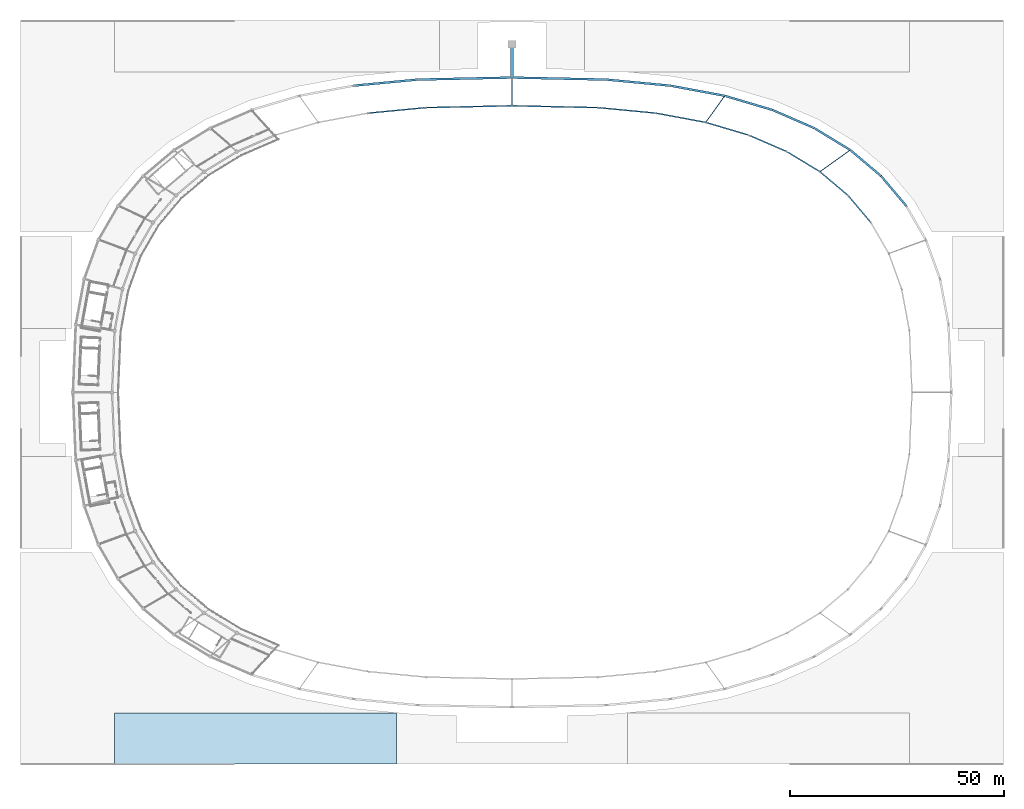
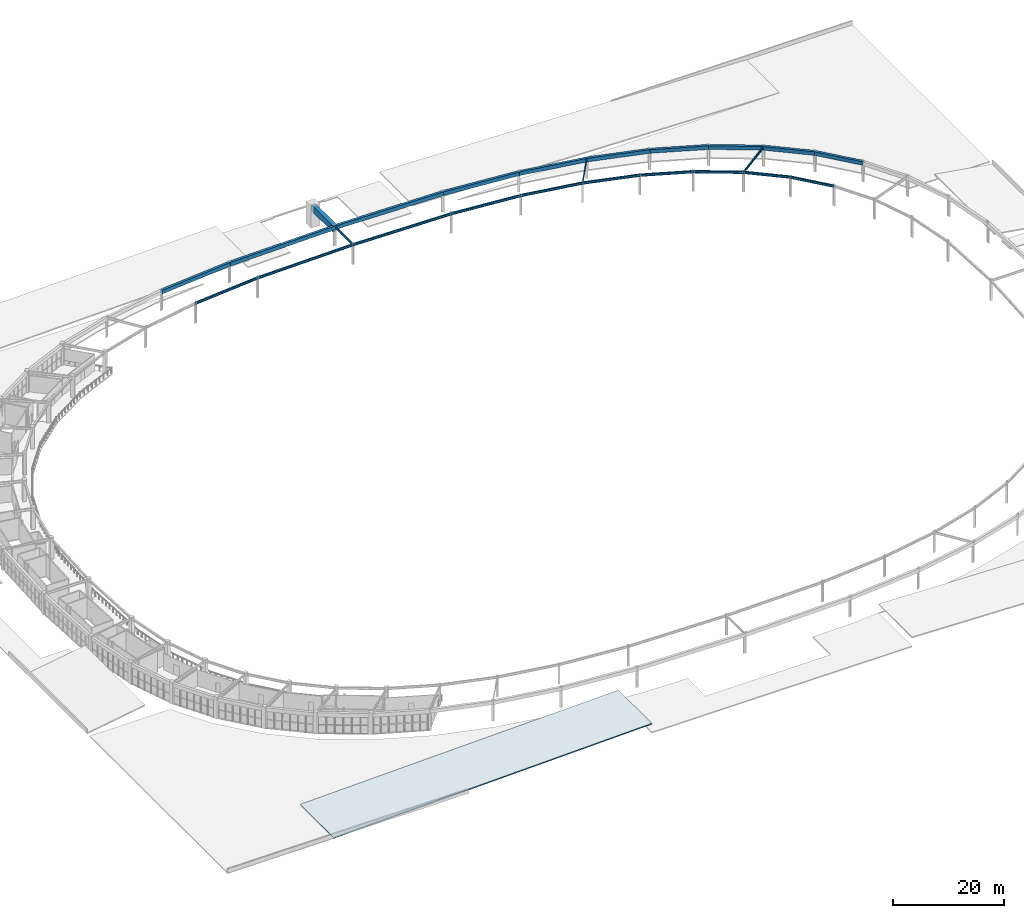
# One storey, part 27 of 45: 24 beams, 1 slab, 1 element without a shape of its own.
"""IFC4 building model written with IfcOpenShell, lengths in metres."""

from ifc_helpers import new_model, si_unit, direction, frame, origin, origin_2d, place, context, subcontext, project, spatial, polyline, rectangle, i_section, outline, extrude, material, layer, layer_set, material_profile, profile_set, type_object, element, aggregate, save


model = new_model("IFC4")

# Units and contexts
model_context = context("Model", 3, precision=1e-05, world=origin(), true_north=direction((0.0, 1.0)))
body_context = subcontext(model_context, "Body", "Model", "MODEL_VIEW")
ifc_project = project(units=[si_unit("LENGTHUNIT", "METRE"), si_unit("AREAUNIT", "SQUARE_METRE"), si_unit("VOLUMEUNIT", "CUBIC_METRE"), si_unit("PLANEANGLEUNIT", "RADIAN"), si_unit("MASSUNIT", "GRAM", prefix="KILO")], contexts=[model_context])

# Site, building, storey
site_placement = place(None, origin())
site = spatial("IfcSite", under=ifc_project, at=site_placement, CompositionType="ELEMENT")
building_placement = place(site_placement, origin())
building = spatial("IfcBuilding", under=site, at=building_placement, Name="Mphavela Belvedere Stadium", CompositionType="ELEMENT")
storey_placement = place(building_placement, frame((0.0, 0.0, 24.0)))
storey = spatial("IfcBuildingStorey", under=building, at=storey_placement, Name="L05", CompositionType="ELEMENT", Elevation=24.0)

# Beams
ifc_material_1 = material(Name="Concrete C50/60", Category="concrete")
ifc_material_profile_1 = material_profile(ifc_material_1, rectangle(XDim=0.800048828125, YDim=1.39990234375, at=origin_2d()), Name="RC 800x1400")
ifc_profile_set_1 = profile_set([ifc_material_profile_1], Name="Concrete C50/60")
beam_type_1 = type_object("IfcBeamType", Name="BM-BUTTRESS-TIE-1400", PredefinedType="BEAM", material=ifc_profile_set_1)
beam_1_placement = place(storey_placement, frame((115.0, 160.669921875, 3.85009765625), z_axis=(0.0, 1.0, 0.0), x_axis=(-1.0, 0.0, 0.0)))
element("IfcBeam", 1, at=beam_1_placement, inside=storey, type_object=beam_type_1, Name="Mast buttress tie girder L05", PredefinedType="BEAM", context=body_context, shape_type="SweptSolid", body=[
    extrude(rectangle(XDim=0.800048828125, YDim=1.39990234375, at=origin_2d()), origin(), (0.0, 0.0, 1.0), 7.830078125),
])
ifc_material_2 = material(Name="Concrete C40/50", Category="concrete")
ifc_material_profile_2 = material_profile(ifc_material_2, rectangle(XDim=0.5, YDim=0.800048828125, at=origin_2d()), Name="RC 500x800")
ifc_profile_set_2 = profile_set([ifc_material_profile_2], Name="Concrete C40/50")
beam_type_2 = type_object("IfcBeamType", Name="BM-SPANDREL-800", PredefinedType="SPANDREL", material=ifc_profile_set_2)
beam_2_placement = place(storey_placement, frame((207.242431640625, 130.66162109375, 4.14990234375), z_axis=(-0.645164552218, 0.764043650952, 0.0), x_axis=(-0.764043650952, -0.645164552218, 0.0)))
element("IfcBeam", 2, at=beam_2_placement, inside=storey, type_object=beam_type_2, Name="Circumferential girder L05 R4-05", PredefinedType="SPANDREL", context=body_context, shape_type="SweptSolid", body=[
    extrude(rectangle(XDim=0.5, YDim=0.800048828125, at=origin_2d()), origin(), (0.0, 0.0, 1.0), 9.151123046875),
])
beam_3_placement = place(storey_placement, frame((201.33837890625, 137.653564453125, 4.14990234375), z_axis=(-0.76426547638, 0.644901761212, 0.0), x_axis=(-0.644901761212, -0.76426547638, 0.0)))
element("IfcBeam", 3, at=beam_3_placement, inside=storey, type_object=beam_type_2, Name="Circumferential girder L05 R4-06", PredefinedType="SPANDREL", context=body_context, shape_type="SweptSolid", body=[
    extrude(rectangle(XDim=0.5, YDim=0.800048828125, at=origin_2d()), origin(), (0.0, 0.0, 1.0), 9.3984375),
])
beam_4_placement = place(storey_placement, frame((194.155517578125, 143.714599609375, 4.14990234375), z_axis=(-0.854326607994, 0.51973651678, 0.0), x_axis=(-0.51973651678, -0.854326607994, 0.0)))
element("IfcBeam", 4, at=beam_4_placement, inside=storey, type_object=beam_type_2, Name="Circumferential girder L05 R4-07", PredefinedType="SPANDREL", context=body_context, shape_type="SweptSolid", body=[
    extrude(rectangle(XDim=0.5, YDim=0.800048828125, at=origin_2d()), origin(), (0.0, 0.0, 1.0), 9.901611328125),
])
beam_5_placement = place(storey_placement, frame((185.6962890625, 148.86083984375, 4.14990234375), z_axis=(-0.91749867224, 0.397738842004, 0.0), x_axis=(-0.397738842004, -0.91749867224, 0.0)))
element("IfcBeam", 5, at=beam_5_placement, inside=storey, type_object=beam_type_2, Name="Circumferential girder L05 R4-08", PredefinedType="SPANDREL", context=body_context, shape_type="SweptSolid", body=[
    extrude(rectangle(XDim=0.5, YDim=0.800048828125, at=origin_2d()), origin(), (0.0, 0.0, 1.0), 10.63623046875),
])
beam_6_placement = place(storey_placement, frame((175.9375, 153.09130859375, 4.14990234375), z_axis=(-0.958656362639, 0.284566298727, 0.0), x_axis=(-0.284566298727, -0.958656362639, 0.0)))
element("IfcBeam", 6, at=beam_6_placement, inside=storey, type_object=beam_type_2, Name="Circumferential girder L05 R4-09", PredefinedType="SPANDREL", context=body_context, shape_type="SweptSolid", body=[
    extrude(rectangle(XDim=0.5, YDim=0.800048828125, at=origin_2d()), origin(), (0.0, 0.0, 1.0), 11.616455078125),
])
beam_7_placement = place(storey_placement, frame((164.80126953125, 156.39697265625, 4.14990234375), z_axis=(-0.983098571421, 0.183077029882, 0.0), x_axis=(-0.183077029882, -0.983098571421, 0.0)))
element("IfcBeam", 7, at=beam_7_placement, inside=storey, type_object=beam_type_2, Name="Circumferential girder L05 R4-10", PredefinedType="SPANDREL", context=body_context, shape_type="SweptSolid", body=[
    extrude(rectangle(XDim=0.5, YDim=0.800048828125, at=origin_2d()), origin(), (0.0, 0.0, 1.0), 12.947265625),
])
beam_8_placement = place(storey_placement, frame((152.07275390625, 158.767333984375, 4.14990234375), z_axis=(-0.995483415661, 0.094935605244, 0.0), x_axis=(-0.094935605244, -0.995483415661, 0.0)))
element("IfcBeam", 8, at=beam_8_placement, inside=storey, type_object=beam_type_2, Name="Circumferential girder L05 R4-11", PredefinedType="SPANDREL", context=body_context, shape_type="SweptSolid", body=[
    extrude(rectangle(XDim=0.5, YDim=0.800048828125, at=origin_2d()), origin(), (0.0, 0.0, 1.0), 15.026123046875),
])
for number, where, z_axis, x_axis, name in (
    (9, (137.114501953125, 160.19384765625, 4.14990234375), (-0.999768359718, 0.021522706765, 0.0), (-0.021522706765, -0.999768359718, 0.0), "Circumferential girder L05 R4-12"),
    (10, (115.0, 160.669921875, 4.14990234375), (-0.999768359718, -0.021522706765, 0.0), (0.021522706765, -0.999768359718, 0.0), "Circumferential girder L05 R4-13"),
):
    element("IfcBeam", number, at=place(storey_placement, frame(where, z_axis=z_axis, x_axis=x_axis)), inside=storey, type_object=beam_type_2, Name=name, PredefinedType="SPANDREL", context=body_context, shape_type="SweptSolid", body=[
        extrude(rectangle(XDim=0.5, YDim=0.800048828125, at=origin_2d()), origin(), (0.0, 0.0, 1.0), 22.11962890625),
    ])
beam_9_placement = place(storey_placement, frame((92.885498046875, 160.19384765625, 4.14990234375), z_axis=(-0.995483415661, -0.094935605244, 0.0), x_axis=(0.094935605244, -0.995483415661, 0.0)))
element("IfcBeam", 11, at=beam_9_placement, inside=storey, type_object=beam_type_2, Name="Circumferential girder L05 R4-14", PredefinedType="SPANDREL", context=body_context, shape_type="SweptSolid", body=[
    extrude(rectangle(XDim=0.5, YDim=0.800048828125, at=origin_2d()), origin(), (0.0, 0.0, 1.0), 15.026123046875),
])
ifc_material_3 = material(Name="Steel S355", Category="steel")
ifc_material_profile_3 = material_profile(ifc_material_3, i_section(OverallWidth=0.300048828125, OverallDepth=0.489990234375, WebThickness=0.011962890625, FlangeThickness=0.02294921875, at=origin_2d()), Name="HEA 500")
ifc_profile_set_3 = profile_set([ifc_material_profile_3], Name="Steel S355")
beam_type_3 = type_object("IfcBeamType", Name="BM-STEEL-HEA500", PredefinedType="BEAM", material=ifc_profile_set_3)
beam_10_placement = place(storey_placement, frame((198.9755859375, 126.748291015625, 4.304931640625), z_axis=(-0.645177396673, 0.764032804808, 0.0), x_axis=(-0.764032804808, -0.645177396673, 0.0)))
element("IfcBeam", 12, at=beam_10_placement, inside=storey, type_object=beam_type_3, Name="Circumferential girder L05 R3-05", PredefinedType="BEAM", context=body_context, shape_type="SweptSolid", body=[
    extrude(i_section(OverallWidth=0.300048828125, OverallDepth=0.489990234375, WebThickness=0.011962890625, FlangeThickness=0.02294921875, at=origin_2d()), origin(), (0.0, 0.0, 1.0), 8.331298828125),
])
beam_11_placement = place(storey_placement, frame((193.600341796875, 133.11376953125, 4.304931640625), z_axis=(-0.764263355392, 0.644904274761, 0.0), x_axis=(-0.644904274761, -0.764263355392, 0.0)))
element("IfcBeam", 13, at=beam_11_placement, inside=storey, type_object=beam_type_3, Name="Circumferential girder L05 R3-06", PredefinedType="BEAM", context=body_context, shape_type="SweptSolid", body=[
    extrude(i_section(OverallWidth=0.300048828125, OverallDepth=0.489990234375, WebThickness=0.011962890625, FlangeThickness=0.02294921875, at=origin_2d()), origin(), (0.0, 0.0, 1.0), 8.55615234375),
])
beam_12_placement = place(storey_placement, frame((187.061279296875, 138.631591796875, 4.304931640625), z_axis=(-0.854315160357, 0.519755333579, 0.0), x_axis=(-0.519755333579, -0.854315160357, 0.0)))
element("IfcBeam", 14, at=beam_12_placement, inside=storey, type_object=beam_type_3, Name="Circumferential girder L05 R3-07", PredefinedType="BEAM", context=body_context, shape_type="SweptSolid", body=[
    extrude(i_section(OverallWidth=0.300048828125, OverallDepth=0.489990234375, WebThickness=0.011962890625, FlangeThickness=0.02294921875, at=origin_2d()), origin(), (0.0, 0.0, 1.0), 9.014404296875),
])
beam_13_placement = place(storey_placement, frame((179.360107421875, 143.31689453125, 4.304931640625), z_axis=(-0.917501650019, 0.397731972832, 0.0), x_axis=(-0.397731972832, -0.917501650019, 0.0)))
element("IfcBeam", 15, at=beam_13_placement, inside=storey, type_object=beam_type_3, Name="Circumferential girder L05 R3-08", PredefinedType="BEAM", context=body_context, shape_type="SweptSolid", body=[
    extrude(i_section(OverallWidth=0.300048828125, OverallDepth=0.489990234375, WebThickness=0.011962890625, FlangeThickness=0.02294921875, at=origin_2d()), origin(), (0.0, 0.0, 1.0), 9.6826171875),
])
beam_14_placement = place(storey_placement, frame((170.476318359375, 147.16796875, 4.304931640625), z_axis=(-0.958655230784, 0.284570111731, 0.0), x_axis=(-0.284570111731, -0.958655230784, 0.0)))
element("IfcBeam", 16, at=beam_14_placement, inside=storey, type_object=beam_type_3, Name="Circumferential girder L05 R3-09", PredefinedType="BEAM", context=body_context, shape_type="SweptSolid", body=[
    extrude(i_section(OverallWidth=0.300048828125, OverallDepth=0.489990234375, WebThickness=0.011962890625, FlangeThickness=0.02294921875, at=origin_2d()), origin(), (0.0, 0.0, 1.0), 10.57568359375),
])
beam_15_placement = place(storey_placement, frame((160.337890625, 150.177490234375, 4.304931640625), z_axis=(-0.983097725009, 0.18308157494, 0.0), x_axis=(-0.18308157494, -0.983097725009, 0.0)))
element("IfcBeam", 17, at=beam_15_placement, inside=storey, type_object=beam_type_3, Name="Circumferential girder L05 R3-10", PredefinedType="BEAM", context=body_context, shape_type="SweptSolid", body=[
    extrude(i_section(OverallWidth=0.300048828125, OverallDepth=0.489990234375, WebThickness=0.011962890625, FlangeThickness=0.02294921875, at=origin_2d()), origin(), (0.0, 0.0, 1.0), 11.786865234375),
])
beam_16_placement = place(storey_placement, frame((148.750244140625, 152.33544921875, 4.304931640625), z_axis=(-0.995483834103, 0.094931217412, 0.0), x_axis=(-0.094931217412, -0.995483834103, 0.0)))
element("IfcBeam", 18, at=beam_16_placement, inside=storey, type_object=beam_type_3, Name="Circumferential girder L05 R3-11", PredefinedType="BEAM", context=body_context, shape_type="SweptSolid", body=[
    extrude(i_section(OverallWidth=0.300048828125, OverallDepth=0.489990234375, WebThickness=0.011962890625, FlangeThickness=0.02294921875, at=origin_2d()), origin(), (0.0, 0.0, 1.0), 13.67919921875),
])
for number, where, z_axis, x_axis, name in (
    (19, (135.1328125, 153.634033203125, 4.304931640625), (-0.999768427465, 0.02151955955, 0.0), (-0.02151955955, -0.999768427465, 0.0), "Circumferential girder L05 R3-12"),
    (20, (115.0, 154.0673828125, 4.304931640625), (-0.999768427465, -0.02151955955, 0.0), (0.02151955955, -0.999768427465, 0.0), "Circumferential girder L05 R3-13"),
):
    element("IfcBeam", number, at=place(storey_placement, frame(where, z_axis=z_axis, x_axis=x_axis)), inside=storey, type_object=beam_type_3, Name=name, PredefinedType="BEAM", context=body_context, shape_type="SweptSolid", body=[
        extrude(i_section(OverallWidth=0.300048828125, OverallDepth=0.489990234375, WebThickness=0.011962890625, FlangeThickness=0.02294921875, at=origin_2d()), origin(), (0.0, 0.0, 1.0), 20.137451171875),
    ])
beam_17_placement = place(storey_placement, frame((94.8671875, 153.634033203125, 4.304931640625), z_axis=(-0.995483834103, -0.094931217412, 0.0), x_axis=(0.094931217412, -0.995483834103, 0.0)))
element("IfcBeam", 21, at=beam_17_placement, inside=storey, type_object=beam_type_3, Name="Circumferential girder L05 R3-14", PredefinedType="BEAM", context=body_context, shape_type="SweptSolid", body=[
    extrude(i_section(OverallWidth=0.300048828125, OverallDepth=0.489990234375, WebThickness=0.011962890625, FlangeThickness=0.02294921875, at=origin_2d()), origin(), (0.0, 0.0, 1.0), 13.67919921875),
])
ifc_material_4 = material(Name="Steel S355", Category="steel")
ifc_material_profile_4 = material_profile(ifc_material_4, i_section(OverallWidth=0.199951171875, OverallDepth=0.5, WebThickness=0.01025390625, FlangeThickness=0.01611328125, at=origin_2d()), Name="IPE 500")
ifc_profile_set_4 = profile_set([ifc_material_profile_4], Name="Steel S355")
beam_type_4 = type_object("IfcBeamType", Name="BM-STEEL-IPE500", PredefinedType="BEAM", material=ifc_profile_set_4)
beam_18_placement = place(storey_placement, frame((187.061279296875, 138.631591796875, 4.300048828125), z_axis=(0.812882024932, 0.582428376319, 0.0), x_axis=(-0.582428376319, 0.812882024932, 0.0)))
element("IfcBeam", 22, at=beam_18_placement, inside=storey, type_object=beam_type_4, Name="Radial concourse girder L05 R3R4-07", PredefinedType="BEAM", context=body_context, shape_type="SweptSolid", body=[
    extrude(i_section(OverallWidth=0.199951171875, OverallDepth=0.5, WebThickness=0.01025390625, FlangeThickness=0.01611328125, at=origin_2d()), origin(), (0.0, 0.0, 1.0), 8.727294921875),
])
beam_19_placement = place(storey_placement, frame((160.337890625, 150.177490234375, 4.300048828125), z_axis=(0.583043812448, 0.812440713385, 0.0), x_axis=(-0.812440713385, 0.583043812448, 0.0)))
element("IfcBeam", 23, at=beam_19_placement, inside=storey, type_object=beam_type_4, Name="Radial concourse girder L05 R3R4-10", PredefinedType="BEAM", context=body_context, shape_type="SweptSolid", body=[
    extrude(i_section(OverallWidth=0.199951171875, OverallDepth=0.5, WebThickness=0.01025390625, FlangeThickness=0.01611328125, at=origin_2d()), origin(), (0.0, 0.0, 1.0), 7.6552734375),
])
beam_20_placement = place(storey_placement, frame((115.0, 154.0673828125, 4.300048828125), z_axis=(0.0, 1.0, 0.0), x_axis=(-1.0, 0.0, 0.0)))
element("IfcBeam", 24, at=beam_20_placement, inside=storey, type_object=beam_type_4, Name="Radial concourse girder L05 R3R4-13", PredefinedType="BEAM", context=body_context, shape_type="SweptSolid", body=[
    extrude(i_section(OverallWidth=0.199951171875, OverallDepth=0.5, WebThickness=0.01025390625, FlangeThickness=0.01611328125, at=origin_2d()), origin(), (0.0, 0.0, 1.0), 6.6025390625),
])

# Roof, slab
ifc_material_5 = material(Name="Standing-seam zinc roofing membrane")
roof_type = type_object("IfcRoofType", Name="ROOF-PEDIMENT-ASSY", PredefinedType="GABLE_ROOF", material=ifc_material_5)
roof_placement = place(storey_placement, origin())
roof = element("IfcRoof", 25, at=roof_placement, inside=storey, type_object=roof_type, Name="South Axial Triumphal Peristyle Portico classical pediment roof", PredefinedType="GABLE_ROOF")
ifc_material_6 = material(Name="Standing-seam zinc insulated roof over Concrete C40/50", Category="concrete")
ifc_layer = layer(ifc_material_6, 0.239990234375)
ifc_layer_set = layer_set([ifc_layer], Name="Standing-seam zinc insulated roof over Concrete C40/50")
slab_type = type_object("IfcSlabType", Name="SLB-ROOF-ZINC-240", PredefinedType="ROOF", material=ifc_layer_set)
slab_placement = place(storey_placement, frame((22.0, 0.0, 0.25), z_axis=(-0.029531828515, 0.0, 0.999563840435), x_axis=(0.999563840435, 0.0, 0.029531828515)))
slab = element("IfcSlab", 26, at=slab_placement, type_object=slab_type, Name="South Axial Triumphal Peristyle Portico classical pediment slope W", PredefinedType="ROOF", context=body_context, shape_type="SweptSolid", body=[
    extrude(outline(polyline([(0.0, 0.0), (66.02879909231045, 0.0), (66.02879909231045, 12.0), (0.0, 12.0), (0.0, 0.0)])), origin(), (0.0, 0.0, -1.0), 0.239990234375),
])
aggregate(roof, [slab])

save(model, "model.ifc")
